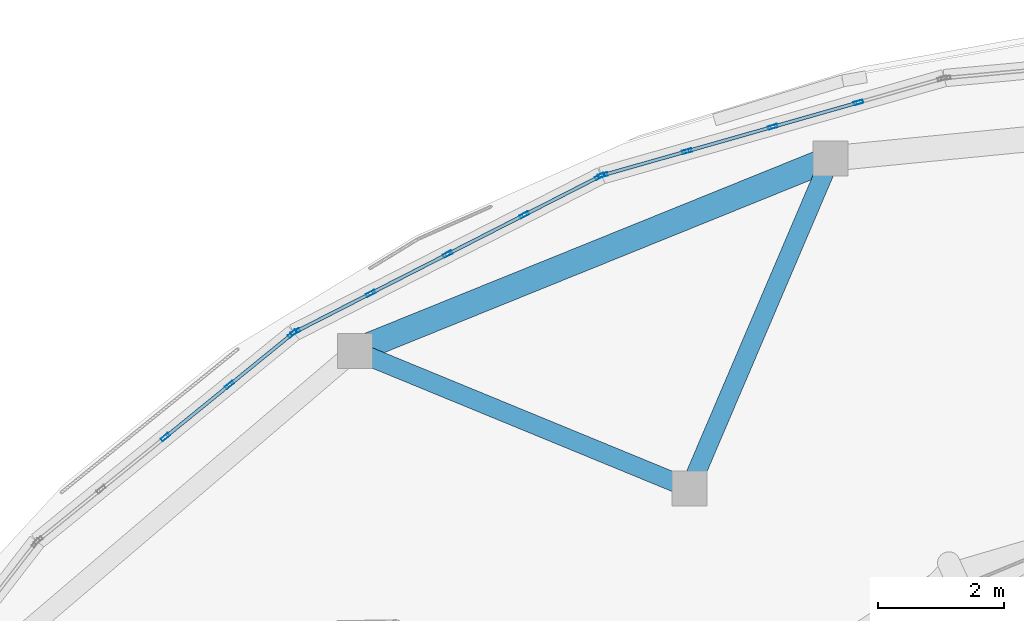
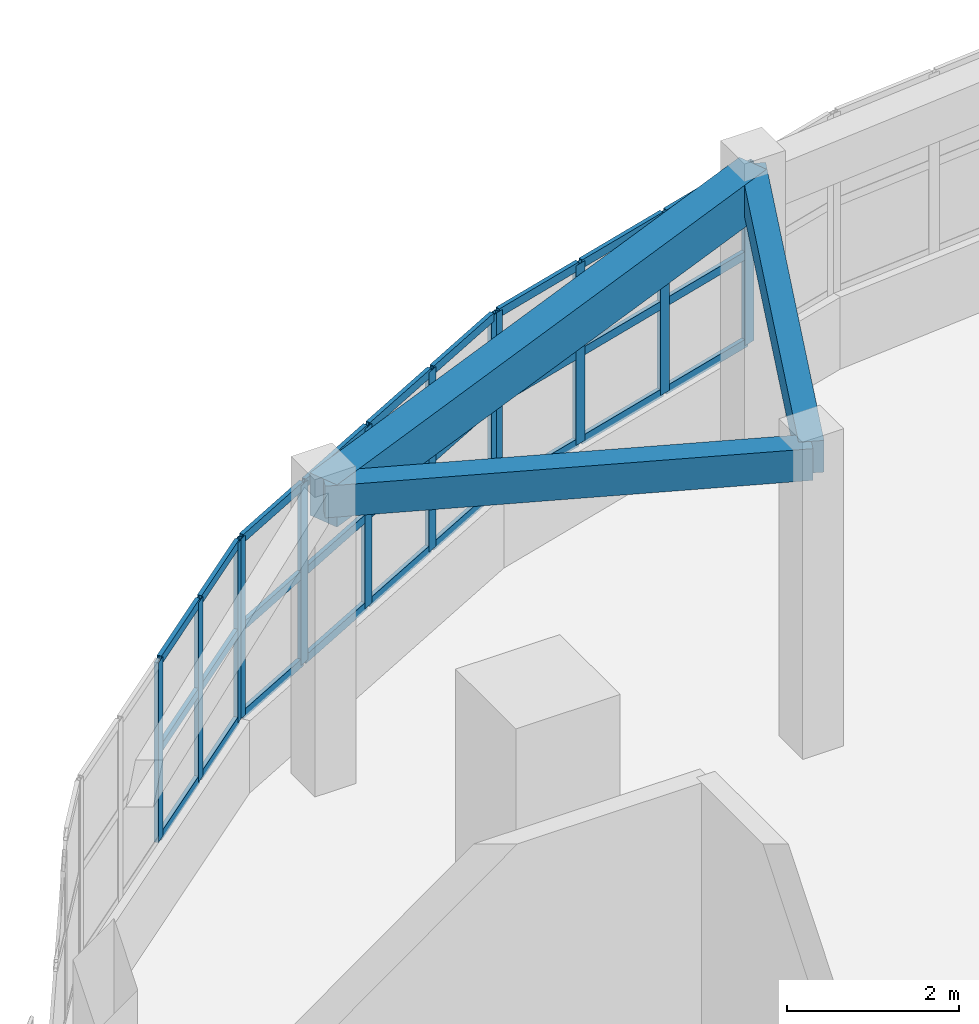
# One storey, part 19 of 46: 39 members, 3 beams, 3 elements without a shape of their own.
"""IFC4 building model written with IfcOpenShell, lengths in metres."""

from ifc_helpers import new_model, si_unit, direction, frame, origin, origin_2d, place, context, subcontext, project, spatial, rectangle, hollow_rectangle, extrude, material, layer, layer_set, material_profile, profile_set, type_object, element, aggregate, save


model = new_model("IFC4")

# Units and contexts
model_context = context("Model", 3, precision=1e-05, world=origin(), true_north=direction((0.0, 1.0)))
body_context = subcontext(model_context, "Body", "Model", "MODEL_VIEW")
ifc_project = project(units=[si_unit("LENGTHUNIT", "METRE"), si_unit("AREAUNIT", "SQUARE_METRE"), si_unit("VOLUMEUNIT", "CUBIC_METRE"), si_unit("PLANEANGLEUNIT", "RADIAN"), si_unit("MASSUNIT", "GRAM", prefix="KILO")], contexts=[model_context])

# Site, building, storey
site_placement = place(None, origin())
site = spatial("IfcSite", under=ifc_project, at=site_placement, CompositionType="ELEMENT")
building_placement = place(site_placement, origin())
building = spatial("IfcBuilding", under=site, at=building_placement, Name="Pelvatis Terrace Science Centre", CompositionType="ELEMENT")
storey_placement = place(building_placement, frame((0.0, 0.0, 19.800048828125)))
storey = spatial("IfcBuildingStorey", under=building, at=storey_placement, Name="L04", CompositionType="ELEMENT", Elevation=19.800048828125)

# Beams
ifc_material_1 = material(Name="Concrete C35/45", Category="concrete")
ifc_material_profile_1 = material_profile(ifc_material_1, rectangle(XDim=0.300048828125, YDim=0.449951171875, at=origin_2d()), Name="RC-BM 300x450")
ifc_profile_set_1 = profile_set([ifc_material_profile_1], Name="Concrete C35/45")
beam_type_1 = type_object("IfcBeamType", Name="BM-RC-300x450", PredefinedType="BEAM", material=ifc_profile_set_1)
beam_1_placement = place(storey_placement, frame((102.095458984375, 103.65673828125, 4.02490234375), z_axis=(-0.392802627851, -0.919622800692, 0.0), x_axis=(0.919622800692, -0.392802627851, 0.0)))
element("IfcBeam", 1, at=beam_1_placement, inside=storey, type_object=beam_type_1, Name="Beam BM-L04-3085", PredefinedType="BEAM", context=body_context, shape_type="SweptSolid", body=[
    extrude(rectangle(XDim=0.300048828125, YDim=0.449951171875, at=origin_2d()), origin(), (0.0, 0.0, 1.0), 5.674560546875),
])
beam_2_placement = place(storey_placement, frame((94.575927734375, 100.61376953125, 4.02490234375), z_axis=(0.924857425054, -0.380314006214, 0.0), x_axis=(0.380314006214, 0.924857425054, 0.0)))
element("IfcBeam", 2, at=beam_2_placement, inside=storey, type_object=beam_type_1, Name="Beam BM-L04-3087", PredefinedType="BEAM", context=body_context, shape_type="SweptSolid", body=[
    extrude(rectangle(XDim=0.300048828125, YDim=0.449951171875, at=origin_2d()), origin(), (0.0, 0.0, 1.0), 5.720458984375),
])
ifc_material_2 = material(Name="Concrete C35/45", Category="concrete")
ifc_material_profile_2 = material_profile(ifc_material_2, rectangle(XDim=0.39990234375, YDim=0.60009765625, at=origin_2d()), Name="RC-BM 400x600")
ifc_profile_set_2 = profile_set([ifc_material_profile_2], Name="Concrete C35/45")
beam_type_2 = type_object("IfcBeamType", Name="BM-RC-400x600", PredefinedType="BEAM", material=ifc_profile_set_2)
beam_3_placement = place(storey_placement, frame((102.095458984375, 103.65673828125, 3.949951171875), z_axis=(-0.926974722929, -0.375123796967, 0.0), x_axis=(0.375123796967, -0.926974722929, 0.0)))
element("IfcBeam", 3, at=beam_3_placement, inside=storey, type_object=beam_type_2, Name="Beam BM-L04-3084", PredefinedType="BEAM", context=body_context, shape_type="SweptSolid", body=[
    extrude(rectangle(XDim=0.39990234375, YDim=0.60009765625, at=origin_2d()), origin(), (0.0, 0.0, 1.0), 8.11181640625),
])

# Curtain wall, members
ifc_material_3 = material(Name="Bronze-anodised aluminium and laminated glass", Category="aluminium")
ifc_layer = layer(ifc_material_3, 0.14990234375)
ifc_layer_set = layer_set([ifc_layer], Name="Bronze-anodised aluminium and laminated glass")
curtain_wall_type = type_object("IfcCurtainWallType", Name="CW-PASSAGE-C", PredefinedType="NOTDEFINED", material=ifc_layer_set)
curtain_wall_1_placement = place(storey_placement, origin())
curtain_wall_1 = element("IfcCurtainWall", 4, at=curtain_wall_1_placement, inside=storey, type_object=curtain_wall_type, Name="Ribbon curtain wall CW-219 (L04)", PredefinedType="NOTDEFINED")
ifc_material_4 = material(Name="Bronze-anodised aluminium 6063-T6", Category="aluminium")
ifc_material_profile_3 = material_profile(ifc_material_4, hollow_rectangle(XDim=0.054931640625, YDim=0.14990234375, WallThickness=0.00390625, at=origin_2d()), Name="ALU-MUL 55x150")
ifc_profile_set_3 = profile_set([ifc_material_profile_3], Name="Bronze-anodised aluminium 6063-T6")
member_type_1 = type_object("IfcMemberType", Name="CWM-55x150", PredefinedType="MULLION", material=ifc_profile_set_3)
member_1_placement = place(storey_placement, frame((102.536865234375, 104.541748046875, 1.02001953125), z_axis=(0.0, 0.0, 1.0), x_axis=(0.273577429116, -0.96184998325, 0.0)))
member_1 = element("IfcMember", 5, at=member_1_placement, type_object=member_type_1, Name="CW-219 mullion 2", PredefinedType="MULLION", context=body_context, shape_type="SweptSolid", body=[
    extrude(hollow_rectangle(XDim=0.054931640625, YDim=0.14990234375, WallThickness=0.00390625, at=origin_2d()), origin(), (0.0, 0.0, 1.0), 2.550048828125),
])
member_2_placement = place(storey_placement, frame((101.181640625, 104.15625, 1.02001953125), z_axis=(0.0, 0.0, 1.0), x_axis=(0.273577429116, -0.96184998325, 0.0)))
member_2 = element("IfcMember", 6, at=member_2_placement, type_object=member_type_1, Name="CW-219 mullion 3", PredefinedType="MULLION", context=body_context, shape_type="SweptSolid", body=[
    extrude(hollow_rectangle(XDim=0.054931640625, YDim=0.14990234375, WallThickness=0.00390625, at=origin_2d()), origin(), (0.0, 0.0, 1.0), 2.550048828125),
])
member_3_placement = place(storey_placement, frame((99.826171875, 103.770751953125, 1.02001953125), z_axis=(0.0, 0.0, 1.0), x_axis=(0.273577429116, -0.96184998325, 0.0)))
member_3 = element("IfcMember", 7, at=member_3_placement, type_object=member_type_1, Name="CW-219 mullion 4", PredefinedType="MULLION", context=body_context, shape_type="SweptSolid", body=[
    extrude(hollow_rectangle(XDim=0.054931640625, YDim=0.14990234375, WallThickness=0.00390625, at=origin_2d()), origin(), (0.0, 0.0, 1.0), 2.550048828125),
])
member_4_placement = place(storey_placement, frame((98.497314453125, 103.392822265625, 1.02001953125), z_axis=(0.0, 0.0, 1.0), x_axis=(0.273577429116, -0.96184998325, 0.0)))
member_4 = element("IfcMember", 8, at=member_4_placement, type_object=member_type_1, Name="CW-219 mullion 5", PredefinedType="MULLION", context=body_context, shape_type="SweptSolid", body=[
    extrude(hollow_rectangle(XDim=0.054931640625, YDim=0.14990234375, WallThickness=0.00390625, at=origin_2d()), origin(), (0.0, 0.0, 1.0), 2.550048828125),
])

curtain_wall_2_placement = place(storey_placement, origin())
curtain_wall_2 = element("IfcCurtainWall", 9, at=curtain_wall_2_placement, inside=storey, type_object=curtain_wall_type, Name="Ribbon curtain wall CW-220 (L04)", PredefinedType="NOTDEFINED")
member_5_placement = place(storey_placement, frame((98.4462890625, 103.372802734375, 1.02001953125), z_axis=(0.0, 0.0, 1.0), x_axis=(0.454858737992, -0.890563601587, 0.0)))
member_5 = element("IfcMember", 10, at=member_5_placement, type_object=member_type_1, Name="CW-220 mullion 1", PredefinedType="MULLION", context=body_context, shape_type="SweptSolid", body=[
    extrude(hollow_rectangle(XDim=0.054931640625, YDim=0.14990234375, WallThickness=0.00390625, at=origin_2d()), origin(), (0.0, 0.0, 1.0), 2.550048828125),
])
member_6_placement = place(storey_placement, frame((97.255126953125, 102.76416015625, 1.02001953125), z_axis=(0.0, 0.0, 1.0), x_axis=(0.454858737992, -0.890563601587, 0.0)))
member_6 = element("IfcMember", 11, at=member_6_placement, type_object=member_type_1, Name="CW-220 mullion 2", PredefinedType="MULLION", context=body_context, shape_type="SweptSolid", body=[
    extrude(hollow_rectangle(XDim=0.054931640625, YDim=0.14990234375, WallThickness=0.00390625, at=origin_2d()), origin(), (0.0, 0.0, 1.0), 2.550048828125),
])
member_7_placement = place(storey_placement, frame((96.039306640625, 102.143310546875, 1.02001953125), z_axis=(0.0, 0.0, 1.0), x_axis=(0.454858737992, -0.890563601587, 0.0)))
member_7 = element("IfcMember", 12, at=member_7_placement, type_object=member_type_1, Name="CW-220 mullion 3", PredefinedType="MULLION", context=body_context, shape_type="SweptSolid", body=[
    extrude(hollow_rectangle(XDim=0.054931640625, YDim=0.14990234375, WallThickness=0.00390625, at=origin_2d()), origin(), (0.0, 0.0, 1.0), 2.550048828125),
])
member_8_placement = place(storey_placement, frame((94.8232421875, 101.522216796875, 1.02001953125), z_axis=(0.0, 0.0, 1.0), x_axis=(0.454858737992, -0.890563601587, 0.0)))
member_8 = element("IfcMember", 13, at=member_8_placement, type_object=member_type_1, Name="CW-220 mullion 4", PredefinedType="MULLION", context=body_context, shape_type="SweptSolid", body=[
    extrude(hollow_rectangle(XDim=0.054931640625, YDim=0.14990234375, WallThickness=0.00390625, at=origin_2d()), origin(), (0.0, 0.0, 1.0), 2.550048828125),
])
member_9_placement = place(storey_placement, frame((93.632080078125, 100.913818359375, 1.02001953125), z_axis=(0.0, 0.0, 1.0), x_axis=(0.454858737992, -0.890563601587, 0.0)))
member_9 = element("IfcMember", 14, at=member_9_placement, type_object=member_type_1, Name="CW-220 mullion 5", PredefinedType="MULLION", context=body_context, shape_type="SweptSolid", body=[
    extrude(hollow_rectangle(XDim=0.054931640625, YDim=0.14990234375, WallThickness=0.00390625, at=origin_2d()), origin(), (0.0, 0.0, 1.0), 2.550048828125),
])

curtain_wall_3_placement = place(storey_placement, origin())
curtain_wall_3 = element("IfcCurtainWall", 15, at=curtain_wall_3_placement, inside=storey, type_object=curtain_wall_type, Name="Ribbon curtain wall CW-221 (L04)", PredefinedType="NOTDEFINED")
member_10_placement = place(storey_placement, frame((93.586181640625, 100.8837890625, 1.02001953125), z_axis=(0.0, 0.0, 1.0), x_axis=(0.630757324963, -0.775980152456, 0.0)))
member_10 = element("IfcMember", 16, at=member_10_placement, type_object=member_type_1, Name="CW-221 mullion 1", PredefinedType="MULLION", context=body_context, shape_type="SweptSolid", body=[
    extrude(hollow_rectangle(XDim=0.054931640625, YDim=0.14990234375, WallThickness=0.00390625, at=origin_2d()), origin(), (0.0, 0.0, 1.0), 2.550048828125),
])
member_11_placement = place(storey_placement, frame((92.592041015625, 100.075927734375, 1.02001953125), z_axis=(0.0, 0.0, 1.0), x_axis=(0.630757324963, -0.775980152456, 0.0)))
member_11 = element("IfcMember", 17, at=member_11_placement, type_object=member_type_1, Name="CW-221 mullion 2", PredefinedType="MULLION", context=body_context, shape_type="SweptSolid", body=[
    extrude(hollow_rectangle(XDim=0.054931640625, YDim=0.14990234375, WallThickness=0.00390625, at=origin_2d()), origin(), (0.0, 0.0, 1.0), 2.550048828125),
])
member_12_placement = place(storey_placement, frame((91.57666015625, 99.25048828125, 1.02001953125), z_axis=(0.0, 0.0, 1.0), x_axis=(0.630757324963, -0.775980152456, 0.0)))
member_12 = element("IfcMember", 18, at=member_12_placement, type_object=member_type_1, Name="CW-221 mullion 3", PredefinedType="MULLION", context=body_context, shape_type="SweptSolid", body=[
    extrude(hollow_rectangle(XDim=0.054931640625, YDim=0.14990234375, WallThickness=0.00390625, at=origin_2d()), origin(), (0.0, 0.0, 1.0), 2.550048828125),
])

# Member
ifc_material_5 = material(Name="Bronze-anodised aluminium 6063-T6", Category="aluminium")
ifc_material_profile_4 = material_profile(ifc_material_5, hollow_rectangle(XDim=0.054931640625, YDim=0.1201171875, WallThickness=0.00341796875, at=origin_2d()), Name="ALU-TRN 55x120")
ifc_profile_set_4 = profile_set([ifc_material_profile_4], Name="Bronze-anodised aluminium 6063-T6")
member_type_2 = type_object("IfcMemberType", Name="CWT-55x120", PredefinedType="USERDEFINED", material=ifc_profile_set_4)
member_13_placement = place(storey_placement, frame((102.510498046875, 104.5341796875, 1.04736328125), z_axis=(-0.961870162214, -0.273506473492, 0.0), x_axis=(0.273506473492, -0.961870162214, 0.0)))
member_13 = element("IfcMember", 19, at=member_13_placement, type_object=member_type_2, Name="CW-219 transom 2.1", ObjectType="TRANSOM", PredefinedType="USERDEFINED", context=body_context, shape_type="SweptSolid", body=[
    extrude(hollow_rectangle(XDim=0.054931640625, YDim=0.1201171875, WallThickness=0.00341796875, at=origin_2d()), origin(), (0.0, 0.0, 1.0), 1.35400390625),
])

member_14_placement = place(storey_placement, frame((102.510498046875, 104.5341796875, 2.294921875), z_axis=(-0.961870162214, -0.273506473492, 0.0), x_axis=(0.273506473492, -0.961870162214, 0.0)))
member_14 = element("IfcMember", 20, at=member_14_placement, type_object=member_type_2, Name="CW-219 transom 2.2", ObjectType="TRANSOM", PredefinedType="USERDEFINED", context=body_context, shape_type="SweptSolid", body=[
    extrude(hollow_rectangle(XDim=0.054931640625, YDim=0.1201171875, WallThickness=0.00341796875, at=origin_2d()), origin(), (0.0, 0.0, 1.0), 1.35400390625),
])

member_15_placement = place(storey_placement, frame((102.510498046875, 104.5341796875, 3.54248046875), z_axis=(-0.961870162214, -0.273506473492, 0.0), x_axis=(0.273506473492, -0.961870162214, 0.0)))
member_15 = element("IfcMember", 21, at=member_15_placement, type_object=member_type_2, Name="CW-219 transom 2.3", ObjectType="TRANSOM", PredefinedType="USERDEFINED", context=body_context, shape_type="SweptSolid", body=[
    extrude(hollow_rectangle(XDim=0.054931640625, YDim=0.1201171875, WallThickness=0.00341796875, at=origin_2d()), origin(), (0.0, 0.0, 1.0), 1.35400390625),
])

member_16_placement = place(storey_placement, frame((101.155029296875, 104.148681640625, 1.04736328125), z_axis=(-0.961856671646, -0.273553912802, 0.0), x_axis=(0.273553912802, -0.961856671646, 0.0)))
member_16 = element("IfcMember", 22, at=member_16_placement, type_object=member_type_2, Name="CW-219 transom 3.1", ObjectType="TRANSOM", PredefinedType="USERDEFINED", context=body_context, shape_type="SweptSolid", body=[
    extrude(hollow_rectangle(XDim=0.054931640625, YDim=0.1201171875, WallThickness=0.00341796875, at=origin_2d()), origin(), (0.0, 0.0, 1.0), 1.35400390625),
])

member_17_placement = place(storey_placement, frame((101.155029296875, 104.148681640625, 2.294921875), z_axis=(-0.961856671646, -0.273553912802, 0.0), x_axis=(0.273553912802, -0.961856671646, 0.0)))
member_17 = element("IfcMember", 23, at=member_17_placement, type_object=member_type_2, Name="CW-219 transom 3.2", ObjectType="TRANSOM", PredefinedType="USERDEFINED", context=body_context, shape_type="SweptSolid", body=[
    extrude(hollow_rectangle(XDim=0.054931640625, YDim=0.1201171875, WallThickness=0.00341796875, at=origin_2d()), origin(), (0.0, 0.0, 1.0), 1.35400390625),
])

member_18_placement = place(storey_placement, frame((101.155029296875, 104.148681640625, 3.54248046875), z_axis=(-0.961856671646, -0.273553912802, 0.0), x_axis=(0.273553912802, -0.961856671646, 0.0)))
member_18 = element("IfcMember", 24, at=member_18_placement, type_object=member_type_2, Name="CW-219 transom 3.3", ObjectType="TRANSOM", PredefinedType="USERDEFINED", context=body_context, shape_type="SweptSolid", body=[
    extrude(hollow_rectangle(XDim=0.054931640625, YDim=0.1201171875, WallThickness=0.00341796875, at=origin_2d()), origin(), (0.0, 0.0, 1.0), 1.35400390625),
])

member_19_placement = place(storey_placement, frame((99.7998046875, 103.76318359375, 1.04736328125), z_axis=(-0.961835800518, -0.27362728819, 0.0), x_axis=(0.27362728819, -0.961835800518, 0.0)))
member_19 = element("IfcMember", 25, at=member_19_placement, type_object=member_type_2, Name="CW-219 transom 4.1", ObjectType="TRANSOM", PredefinedType="USERDEFINED", context=body_context, shape_type="SweptSolid", body=[
    extrude(hollow_rectangle(XDim=0.054931640625, YDim=0.1201171875, WallThickness=0.00341796875, at=origin_2d()), origin(), (0.0, 0.0, 1.0), 1.32666015625),
])

member_20_placement = place(storey_placement, frame((99.7998046875, 103.76318359375, 2.294921875), z_axis=(-0.961835800518, -0.27362728819, 0.0), x_axis=(0.27362728819, -0.961835800518, 0.0)))
member_20 = element("IfcMember", 26, at=member_20_placement, type_object=member_type_2, Name="CW-219 transom 4.2", ObjectType="TRANSOM", PredefinedType="USERDEFINED", context=body_context, shape_type="SweptSolid", body=[
    extrude(hollow_rectangle(XDim=0.054931640625, YDim=0.1201171875, WallThickness=0.00341796875, at=origin_2d()), origin(), (0.0, 0.0, 1.0), 1.32666015625),
])

member_21_placement = place(storey_placement, frame((99.7998046875, 103.76318359375, 3.54248046875), z_axis=(-0.961835800518, -0.27362728819, 0.0), x_axis=(0.27362728819, -0.961835800518, 0.0)))
member_21 = element("IfcMember", 27, at=member_21_placement, type_object=member_type_2, Name="CW-219 transom 4.3", ObjectType="TRANSOM", PredefinedType="USERDEFINED", context=body_context, shape_type="SweptSolid", body=[
    extrude(hollow_rectangle(XDim=0.054931640625, YDim=0.1201171875, WallThickness=0.00341796875, at=origin_2d()), origin(), (0.0, 0.0, 1.0), 1.32666015625),
])

aggregate(curtain_wall_1, [member_1, member_2, member_3, member_4, member_13, member_14, member_15, member_16, member_17, member_18, member_19, member_20, member_21])

member_22_placement = place(storey_placement, frame((98.421875, 103.360107421875, 1.04736328125), z_axis=(-0.89054949215, -0.454886361667, 0.0), x_axis=(0.454886361667, -0.89054949215, 0.0)))
member_22 = element("IfcMember", 28, at=member_22_placement, type_object=member_type_2, Name="CW-220 transom 1.1", ObjectType="TRANSOM", PredefinedType="USERDEFINED", context=body_context, shape_type="SweptSolid", body=[
    extrude(hollow_rectangle(XDim=0.054931640625, YDim=0.1201171875, WallThickness=0.00341796875, at=origin_2d()), origin(), (0.0, 0.0, 1.0), 1.28271484375),
])

member_23_placement = place(storey_placement, frame((98.421875, 103.360107421875, 2.294921875), z_axis=(-0.89054949215, -0.454886361667, 0.0), x_axis=(0.454886361667, -0.89054949215, 0.0)))
member_23 = element("IfcMember", 29, at=member_23_placement, type_object=member_type_2, Name="CW-220 transom 1.2", ObjectType="TRANSOM", PredefinedType="USERDEFINED", context=body_context, shape_type="SweptSolid", body=[
    extrude(hollow_rectangle(XDim=0.054931640625, YDim=0.1201171875, WallThickness=0.00341796875, at=origin_2d()), origin(), (0.0, 0.0, 1.0), 1.28271484375),
])

member_24_placement = place(storey_placement, frame((98.421875, 103.360107421875, 3.54248046875), z_axis=(-0.89054949215, -0.454886361667, 0.0), x_axis=(0.454886361667, -0.89054949215, 0.0)))
member_24 = element("IfcMember", 30, at=member_24_placement, type_object=member_type_2, Name="CW-220 transom 1.3", ObjectType="TRANSOM", PredefinedType="USERDEFINED", context=body_context, shape_type="SweptSolid", body=[
    extrude(hollow_rectangle(XDim=0.054931640625, YDim=0.1201171875, WallThickness=0.00341796875, at=origin_2d()), origin(), (0.0, 0.0, 1.0), 1.28271484375),
])

member_25_placement = place(storey_placement, frame((97.23046875, 102.751708984375, 1.04736328125), z_axis=(-0.890555477647, -0.454874643427, 0.0), x_axis=(0.454874643427, -0.890555477647, 0.0)))
member_25 = element("IfcMember", 31, at=member_25_placement, type_object=member_type_2, Name="CW-220 transom 2.1", ObjectType="TRANSOM", PredefinedType="USERDEFINED", context=body_context, shape_type="SweptSolid", body=[
    extrude(hollow_rectangle(XDim=0.054931640625, YDim=0.1201171875, WallThickness=0.00341796875, at=origin_2d()), origin(), (0.0, 0.0, 1.0), 1.31005859375),
])

member_26_placement = place(storey_placement, frame((97.23046875, 102.751708984375, 2.294921875), z_axis=(-0.890555477647, -0.454874643427, 0.0), x_axis=(0.454874643427, -0.890555477647, 0.0)))
member_26 = element("IfcMember", 32, at=member_26_placement, type_object=member_type_2, Name="CW-220 transom 2.2", ObjectType="TRANSOM", PredefinedType="USERDEFINED", context=body_context, shape_type="SweptSolid", body=[
    extrude(hollow_rectangle(XDim=0.054931640625, YDim=0.1201171875, WallThickness=0.00341796875, at=origin_2d()), origin(), (0.0, 0.0, 1.0), 1.31005859375),
])

member_27_placement = place(storey_placement, frame((97.23046875, 102.751708984375, 3.54248046875), z_axis=(-0.890555477647, -0.454874643427, 0.0), x_axis=(0.454874643427, -0.890555477647, 0.0)))
member_27 = element("IfcMember", 33, at=member_27_placement, type_object=member_type_2, Name="CW-220 transom 2.3", ObjectType="TRANSOM", PredefinedType="USERDEFINED", context=body_context, shape_type="SweptSolid", body=[
    extrude(hollow_rectangle(XDim=0.054931640625, YDim=0.1201171875, WallThickness=0.00341796875, at=origin_2d()), origin(), (0.0, 0.0, 1.0), 1.31005859375),
])

member_28_placement = place(storey_placement, frame((96.0146484375, 102.130615234375, 1.04736328125), z_axis=(-0.890555477647, -0.454874643427, 0.0), x_axis=(0.454874643427, -0.890555477647, 0.0)))
member_28 = element("IfcMember", 34, at=member_28_placement, type_object=member_type_2, Name="CW-220 transom 3.1", ObjectType="TRANSOM", PredefinedType="USERDEFINED", context=body_context, shape_type="SweptSolid", body=[
    extrude(hollow_rectangle(XDim=0.054931640625, YDim=0.1201171875, WallThickness=0.00341796875, at=origin_2d()), origin(), (0.0, 0.0, 1.0), 1.31005859375),
])

member_29_placement = place(storey_placement, frame((96.0146484375, 102.130615234375, 2.294921875), z_axis=(-0.890555477647, -0.454874643427, 0.0), x_axis=(0.454874643427, -0.890555477647, 0.0)))
member_29 = element("IfcMember", 35, at=member_29_placement, type_object=member_type_2, Name="CW-220 transom 3.2", ObjectType="TRANSOM", PredefinedType="USERDEFINED", context=body_context, shape_type="SweptSolid", body=[
    extrude(hollow_rectangle(XDim=0.054931640625, YDim=0.1201171875, WallThickness=0.00341796875, at=origin_2d()), origin(), (0.0, 0.0, 1.0), 1.31005859375),
])

member_30_placement = place(storey_placement, frame((96.0146484375, 102.130615234375, 3.54248046875), z_axis=(-0.890555477647, -0.454874643427, 0.0), x_axis=(0.454874643427, -0.890555477647, 0.0)))
member_30 = element("IfcMember", 36, at=member_30_placement, type_object=member_type_2, Name="CW-220 transom 3.3", ObjectType="TRANSOM", PredefinedType="USERDEFINED", context=body_context, shape_type="SweptSolid", body=[
    extrude(hollow_rectangle(XDim=0.054931640625, YDim=0.1201171875, WallThickness=0.00341796875, at=origin_2d()), origin(), (0.0, 0.0, 1.0), 1.31005859375),
])

member_31_placement = place(storey_placement, frame((94.798828125, 101.509765625, 1.04736328125), z_axis=(-0.89054949215, -0.454886361667, 0.0), x_axis=(0.454886361667, -0.89054949215, 0.0)))
member_31 = element("IfcMember", 37, at=member_31_placement, type_object=member_type_2, Name="CW-220 transom 4.1", ObjectType="TRANSOM", PredefinedType="USERDEFINED", context=body_context, shape_type="SweptSolid", body=[
    extrude(hollow_rectangle(XDim=0.054931640625, YDim=0.1201171875, WallThickness=0.00341796875, at=origin_2d()), origin(), (0.0, 0.0, 1.0), 1.28271484375),
])

member_32_placement = place(storey_placement, frame((94.798828125, 101.509765625, 2.294921875), z_axis=(-0.89054949215, -0.454886361667, 0.0), x_axis=(0.454886361667, -0.89054949215, 0.0)))
member_32 = element("IfcMember", 38, at=member_32_placement, type_object=member_type_2, Name="CW-220 transom 4.2", ObjectType="TRANSOM", PredefinedType="USERDEFINED", context=body_context, shape_type="SweptSolid", body=[
    extrude(hollow_rectangle(XDim=0.054931640625, YDim=0.1201171875, WallThickness=0.00341796875, at=origin_2d()), origin(), (0.0, 0.0, 1.0), 1.28271484375),
])

member_33_placement = place(storey_placement, frame((94.798828125, 101.509765625, 3.54248046875), z_axis=(-0.89054949215, -0.454886361667, 0.0), x_axis=(0.454886361667, -0.89054949215, 0.0)))
member_33 = element("IfcMember", 39, at=member_33_placement, type_object=member_type_2, Name="CW-220 transom 4.3", ObjectType="TRANSOM", PredefinedType="USERDEFINED", context=body_context, shape_type="SweptSolid", body=[
    extrude(hollow_rectangle(XDim=0.054931640625, YDim=0.1201171875, WallThickness=0.00341796875, at=origin_2d()), origin(), (0.0, 0.0, 1.0), 1.28271484375),
])

aggregate(curtain_wall_2, [member_5, member_6, member_7, member_8, member_9, member_22, member_23, member_24, member_25, member_26, member_27, member_28, member_29, member_30, member_31, member_32, member_33])

member_34_placement = place(storey_placement, frame((93.56494140625, 100.866455078125, 1.04736328125), z_axis=(-0.776046991119, -0.630675088754, 0.0), x_axis=(0.630675088754, -0.776046991119, 0.0)))
member_34 = element("IfcMember", 40, at=member_34_placement, type_object=member_type_2, Name="CW-221 transom 1.1", ObjectType="TRANSOM", PredefinedType="USERDEFINED", context=body_context, shape_type="SweptSolid", body=[
    extrude(hollow_rectangle(XDim=0.054931640625, YDim=0.1201171875, WallThickness=0.00341796875, at=origin_2d()), origin(), (0.0, 0.0, 1.0), 1.22607421875),
])

member_35_placement = place(storey_placement, frame((93.56494140625, 100.866455078125, 2.294921875), z_axis=(-0.776046991119, -0.630675088754, 0.0), x_axis=(0.630675088754, -0.776046991119, 0.0)))
member_35 = element("IfcMember", 41, at=member_35_placement, type_object=member_type_2, Name="CW-221 transom 1.2", ObjectType="TRANSOM", PredefinedType="USERDEFINED", context=body_context, shape_type="SweptSolid", body=[
    extrude(hollow_rectangle(XDim=0.054931640625, YDim=0.1201171875, WallThickness=0.00341796875, at=origin_2d()), origin(), (0.0, 0.0, 1.0), 1.22607421875),
])

member_36_placement = place(storey_placement, frame((93.56494140625, 100.866455078125, 3.54248046875), z_axis=(-0.776046991119, -0.630675088754, 0.0), x_axis=(0.630675088754, -0.776046991119, 0.0)))
member_36 = element("IfcMember", 42, at=member_36_placement, type_object=member_type_2, Name="CW-221 transom 1.3", ObjectType="TRANSOM", PredefinedType="USERDEFINED", context=body_context, shape_type="SweptSolid", body=[
    extrude(hollow_rectangle(XDim=0.054931640625, YDim=0.1201171875, WallThickness=0.00341796875, at=origin_2d()), origin(), (0.0, 0.0, 1.0), 1.22607421875),
])

member_37_placement = place(storey_placement, frame((92.57080078125, 100.05859375, 1.04736328125), z_axis=(-0.775923329106, -0.630827224642, 0.0), x_axis=(0.630827224642, -0.775923329106, 0.0)))
member_37 = element("IfcMember", 43, at=member_37_placement, type_object=member_type_2, Name="CW-221 transom 2.1", ObjectType="TRANSOM", PredefinedType="USERDEFINED", context=body_context, shape_type="SweptSolid", body=[
    extrude(hollow_rectangle(XDim=0.054931640625, YDim=0.1201171875, WallThickness=0.00341796875, at=origin_2d()), origin(), (0.0, 0.0, 1.0), 1.253662109375),
])

member_38_placement = place(storey_placement, frame((92.57080078125, 100.05859375, 2.294921875), z_axis=(-0.775923329106, -0.630827224642, 0.0), x_axis=(0.630827224642, -0.775923329106, 0.0)))
member_38 = element("IfcMember", 44, at=member_38_placement, type_object=member_type_2, Name="CW-221 transom 2.2", ObjectType="TRANSOM", PredefinedType="USERDEFINED", context=body_context, shape_type="SweptSolid", body=[
    extrude(hollow_rectangle(XDim=0.054931640625, YDim=0.1201171875, WallThickness=0.00341796875, at=origin_2d()), origin(), (0.0, 0.0, 1.0), 1.253662109375),
])

member_39_placement = place(storey_placement, frame((92.57080078125, 100.05859375, 3.54248046875), z_axis=(-0.775923329106, -0.630827224642, 0.0), x_axis=(0.630827224642, -0.775923329106, 0.0)))
member_39 = element("IfcMember", 45, at=member_39_placement, type_object=member_type_2, Name="CW-221 transom 2.3", ObjectType="TRANSOM", PredefinedType="USERDEFINED", context=body_context, shape_type="SweptSolid", body=[
    extrude(hollow_rectangle(XDim=0.054931640625, YDim=0.1201171875, WallThickness=0.00341796875, at=origin_2d()), origin(), (0.0, 0.0, 1.0), 1.253662109375),
])

aggregate(curtain_wall_3, [member_10, member_11, member_12, member_34, member_35, member_36, member_37, member_38, member_39])

save(model, "model.ifc")
